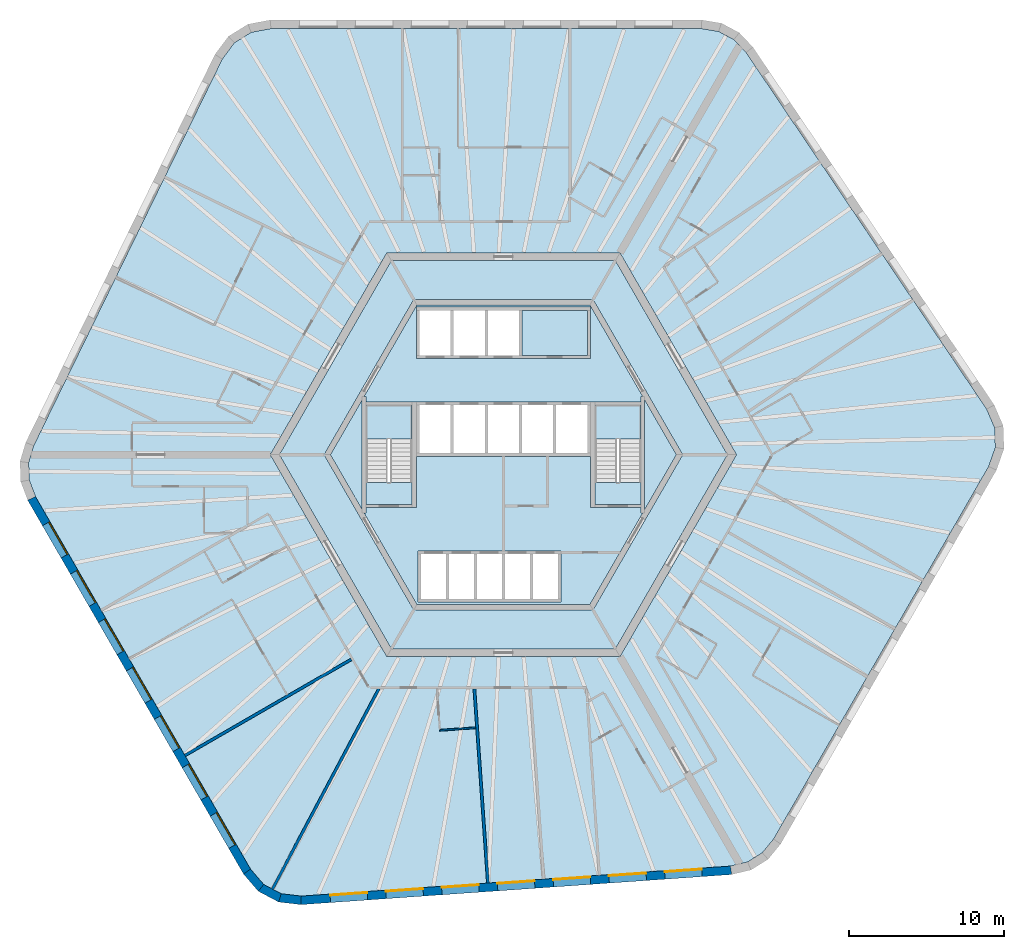
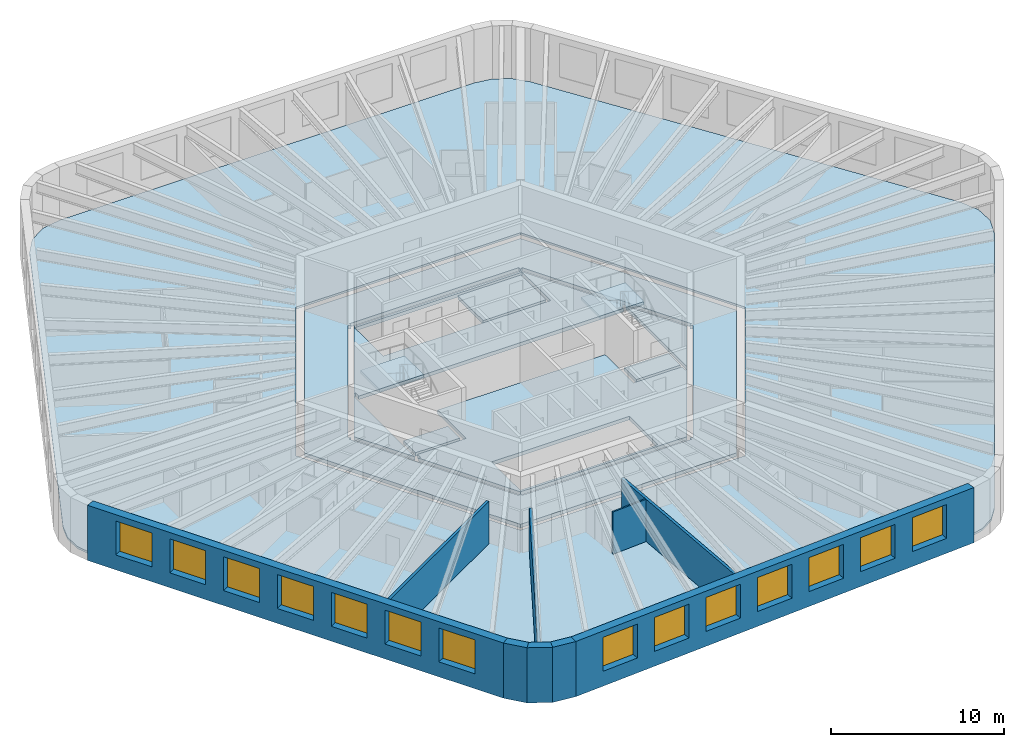
# One storey, part 2 of 10: 14 windows, 11 slabs, 9 walls, 14 openings, 2 elements without a shape of their own.
"""IFC4 building model written with IfcOpenShell, lengths in metres."""

import ifcopenshell
import ifcopenshell.guid

model = None  # the IFC model being written
_history = None  # IfcOwnerHistory: only IFC2X3 demands one
_inside = {}  # id of a spatial element -> (the spatial element, [elements in it])
_under = {}  # id of a project, library or spatial element -> (it, [spatial elements below it])
_declared = {}  # id of a project -> (the project, [libraries it declares])
_typed = {}  # id of a type object -> (the type object, [elements of that type])
_made_of = {}  # id of a material, layer set ... -> (it, [elements and type objects made of it])


def new_model(schema):
    """Start an empty IFC model of exactly this schema.

    Asked for "IFC4X3", IfcOpenShell would pick the latest addendum, in which some entities
    have other attributes; the version numbers below select the first issue.
    IFC2X3 requires an IfcOwnerHistory on every rooted entity: one is made here for all.
    """
    global model, _history
    if schema == "IFC4X3":
        model = ifcopenshell.file(schema_version=(4, 3, 0, 0))
    else:
        model = ifcopenshell.file(schema=schema)
    _inside.clear()
    _under.clear()
    _declared.clear()
    _typed.clear()
    _made_of.clear()
    _history = None
    if model.schema == "IFC2X3":
        org = make("IfcOrganization", Name="unknown")
        user = make(
            "IfcPersonAndOrganization",
            ThePerson=make("IfcPerson", FamilyName="unknown"),
            TheOrganization=org,
        )
        app = make(
            "IfcApplication",
            ApplicationDeveloper=org,
            Version="unknown",
            ApplicationFullName="unknown",
            ApplicationIdentifier="unknown",
        )
        _history = make(
            "IfcOwnerHistory",
            OwningUser=user,
            OwningApplication=app,
            ChangeAction="ADDED",
            CreationDate=0,
        )
    return model


def make(cls, **values):
    """One entity of the class cls with the attributes given. An attribute that is None is left unset."""
    return model.create_entity(
        cls, **{name: value for name, value in values.items() if value is not None}
    )


def rooted(cls, **values):
    """An entity with a GlobalId (a new one), such as an element, a storey or a relation."""
    return make(cls, GlobalId=ifcopenshell.guid.new(), OwnerHistory=_history, **values)


def si_unit(unit_type, name, prefix=None):
    """IfcSIUnit, for example si_unit("LENGTHUNIT", "METRE", prefix="MILLI")."""
    return make("IfcSIUnit", UnitType=unit_type, Prefix=prefix, Name=name)


def assignment(units):
    """IfcUnitAssignment: the units of a project."""
    return None if units is None else make("IfcUnitAssignment", Units=units)


def point(xyz):
    """IfcCartesianPoint."""
    return None if xyz is None else make("IfcCartesianPoint", Coordinates=xyz)


def direction(xyz):
    """IfcDirection."""
    return None if xyz is None else make("IfcDirection", DirectionRatios=xyz)


def frame(location, z_axis=None, x_axis=None):
    """IfcAxis2Placement3D, a coordinate frame: its origin and axes. An axis left out is left unset."""
    return make(
        "IfcAxis2Placement3D",
        Location=point(location),
        Axis=direction(z_axis),
        RefDirection=direction(x_axis),
    )


def frame_2d(location, x_axis=None):
    """IfcAxis2Placement2D, a coordinate frame in the plane: its origin and x axis."""
    return make(
        "IfcAxis2Placement2D", Location=point(location), RefDirection=direction(x_axis)
    )


def origin():
    """The frame at (0, 0, 0) with its axes left unset."""
    return frame((0.0, 0.0, 0.0))


def place(relative_to, where):
    """IfcLocalPlacement: puts the frame where relative to a parent placement (None: the world)."""
    return make(
        "IfcLocalPlacement", PlacementRelTo=relative_to, RelativePlacement=where
    )


def context(
    kind, dimensions, precision=None, world=None, true_north=None, identifier=None
):
    """IfcGeometricRepresentationContext, for example the 3D "Model" context."""
    return make(
        "IfcGeometricRepresentationContext",
        ContextIdentifier=identifier,
        ContextType=kind,
        CoordinateSpaceDimension=dimensions,
        Precision=precision,
        WorldCoordinateSystem=world,
        TrueNorth=true_north,
    )


def subcontext(parent, identifier, kind, view, scale=None):
    """IfcGeometricRepresentationSubContext, for example "Body" below "Model"."""
    return make(
        "IfcGeometricRepresentationSubContext",
        ContextIdentifier=identifier,
        ContextType=kind,
        ParentContext=parent,
        TargetScale=scale,
        TargetView=view,
    )


def project(units=None, contexts=None):
    """IfcProject with its units and contexts."""
    return rooted(
        "IfcProject",
        Name="project",
        RepresentationContexts=contexts,
        UnitsInContext=assignment(units),
    )


def spatial(cls, under=None, at=None, **own):
    """A site, building, storey or space (cls), placed at a placement, below another one or the project."""
    s = rooted(cls, ObjectPlacement=at, **own)
    if under is not None:
        _under.setdefault(under.id(), (under, []))[1].append(s)
    return s


def polyline(points):
    """IfcPolyline through the points."""
    return make("IfcPolyline", Points=[point(p) for p in points])


def profile(cls, at=None, kind="AREA", **sizes):
    """A parametric profile (cls). Its sizes go by their IFC names, for example OverallWidth=200.0."""
    return make(cls, ProfileType=kind, Position=at, **sizes)


def rectangle(**sizes):
    """IfcRectangleProfileDef."""
    return profile("IfcRectangleProfileDef", **sizes)


def outline(outer, holes=None, kind="AREA"):
    """IfcArbitraryClosedProfileDef: a profile drawn as a closed curve; with holes, ...WithVoids."""
    if holes is None:
        return make("IfcArbitraryClosedProfileDef", ProfileType=kind, OuterCurve=outer)
    return make(
        "IfcArbitraryProfileDefWithVoids",
        ProfileType=kind,
        OuterCurve=outer,
        InnerCurves=holes,
    )


def extrude(swept, where, along, depth):
    """IfcExtrudedAreaSolid: the profile swept, set in the frame where, extruded along a direction by depth."""
    return make(
        "IfcExtrudedAreaSolid",
        SweptArea=swept,
        Position=where,
        ExtrudedDirection=direction(along),
        Depth=depth,
    )


def shape(context_of_items, identifier, shape_type, items):
    """IfcShapeRepresentation: the items that make up one representation, for example the "Body"."""
    return make(
        "IfcShapeRepresentation",
        ContextOfItems=context_of_items,
        RepresentationIdentifier=identifier,
        RepresentationType=shape_type,
        Items=items,
    )


def material(Name=None, Category=None):
    """IfcMaterial."""
    return make("IfcMaterial", Name=Name, Category=Category)


def layer(
    of_material, thickness, ventilated=None, Name=None, Category=None, Priority=None
):
    """IfcMaterialLayer: one layer of a wall or slab, of a material (None: an air gap)."""
    return make(
        "IfcMaterialLayer",
        Material=of_material,
        LayerThickness=thickness,
        IsVentilated=ventilated,
        Name=Name,
        Category=Category,
        Priority=Priority,
    )


def layer_set(layers, Name=None):
    """IfcMaterialLayerSet."""
    return make("IfcMaterialLayerSet", MaterialLayers=layers, LayerSetName=Name)


def made_of(thing, what):
    """Note that an element or type object is made of a material, layer set ...; save() writes the relation."""
    if what is not None:
        _made_of.setdefault(what.id(), (what, []))[1].append(thing)
    return thing


def type_object(cls, material=None, **own):
    """A type object (cls), such as IfcWallType, which elements share."""
    return made_of(rooted(cls, **own), material)


def element(
    cls,
    number,
    at=None,
    inside=None,
    cuts=None,
    type_object=None,
    material=None,
    context=None,
    identifier="Body",
    shape_type=None,
    held_by="IfcProductDefinitionShape",
    body=None,
    shapes=None,
    **own,
):
    """One element of the class cls, such as IfcWall. Its Tag is "e" and its number.

    at: its placement. inside: the storey or other place that contains it. cuts: it is an
    opening in that element (IfcRelVoidsElement). A single representation is given by context,
    identifier, shape_type and body (its items); several are given by shapes. held_by: the class
    of the entity that holds the representations. save() writes the other relations.
    """
    e = rooted(cls, Tag="e%d" % number, ObjectPlacement=at, **own)
    if body is not None:
        shapes = [shape(context, identifier, shape_type, body)]
    if shapes is not None:
        e.Representation = make(held_by, Representations=shapes)
    if inside is not None:
        _inside.setdefault(inside.id(), (inside, []))[1].append(e)
    if cuts is not None:
        rooted(
            "IfcRelVoidsElement", RelatingBuildingElement=cuts, RelatedOpeningElement=e
        )
    if type_object is not None:
        _typed.setdefault(type_object.id(), (type_object, []))[1].append(e)
    return made_of(e, material)


def fill(opening, filler):
    """IfcRelFillsElement: the door or window that sits in an opening."""
    return rooted(
        "IfcRelFillsElement",
        RelatingOpeningElement=opening,
        RelatedBuildingElement=filler,
    )


def aggregate(whole, parts):
    """IfcRelAggregates: a whole, such as a stair, and the parts it consists of."""
    return rooted("IfcRelAggregates", RelatingObject=whole, RelatedObjects=parts)


def save(model, path):
    """Write the relations noted so far, then the file.

    IfcRelAggregates (storeys below a building ...), IfcRelContainedInSpatialStructure (elements
    in a storey), IfcRelDefinesByType, IfcRelAssociatesMaterial and IfcRelDeclares: one each for
    every whole, place, type object, material and project.
    """
    for whole, parts in _under.values():
        aggregate(whole, parts)
    for where, things in _inside.values():
        rooted(
            "IfcRelContainedInSpatialStructure",
            RelatedElements=things,
            RelatingStructure=where,
        )
    for kind, things in _typed.values():
        rooted("IfcRelDefinesByType", RelatedObjects=things, RelatingType=kind)
    for what, things in _made_of.values():
        rooted("IfcRelAssociatesMaterial", RelatedObjects=things, RelatingMaterial=what)
    for by, libraries in _declared.values():
        rooted("IfcRelDeclares", RelatingContext=by, RelatedDefinitions=libraries)
    model.write(path)


model = new_model("IFC4")

# Units and contexts
model_context = context("Model", 3, precision=1e-05, world=origin(), true_north=direction((0.0, 1.0)))
body_context = subcontext(model_context, "Body", "Model", "MODEL_VIEW")
ifc_project = project(units=[si_unit("LENGTHUNIT", "METRE"), si_unit("AREAUNIT", "SQUARE_METRE"), si_unit("VOLUMEUNIT", "CUBIC_METRE"), si_unit("PLANEANGLEUNIT", "RADIAN"), si_unit("MASSUNIT", "GRAM", prefix="KILO")], contexts=[model_context])

# Site, building, storey
site_placement = place(None, origin())
site = spatial("IfcSite", under=ifc_project, at=site_placement, CompositionType="ELEMENT")
building_placement = place(site_placement, origin())
building = spatial("IfcBuilding", under=site, at=building_placement, Name="Tarnside Tower", CompositionType="ELEMENT")
storey_placement = place(building_placement, frame((0.0, 0.0, 199.5)))
storey = spatial("IfcBuildingStorey", under=building, at=storey_placement, Name="L47", CompositionType="ELEMENT", Elevation=199.5)

# Slabs
ifc_material_1 = material(Name="Concrete C35/45", Category="concrete")
ifc_layer_1 = layer(ifc_material_1, 0.14990234375)
ifc_layer_set_1 = layer_set([ifc_layer_1], Name="Composite floor slab 150")
slab_type_1 = type_object("IfcSlabType", Name="Composite floor slab 150", PredefinedType="FLOOR", material=ifc_layer_set_1)
slab_1_placement = place(storey_placement, frame((0.0, 0.0, -0.14990234375)))
element("IfcSlab", 1, at=slab_1_placement, inside=storey, type_object=slab_type_1, Name="Floor slab L47", PredefinedType="FLOOR", context=body_context, shape_type="SweptSolid", body=[
    extrude(outline(polyline([(13.864013671875, 27.264892578125), (14.85107421875, 26.740234375), (15.6337890625, 25.91064453125), (31.12890625, 2.938232421875), (31.644287109375, 1.7431640625), (31.68896484375, 0.468505859375), (31.258056640625, -0.759521484375), (17.403076171875, -24.7568359375), (16.68017578125, -25.63916015625), (15.732177734375, -26.2314453125), (14.622314453125, -26.494384765625), (-13.02001953125, -28.427490234375), (-14.3125, -28.2763671875), (-15.438720703125, -27.677490234375), (-16.286865234375, -26.6904296875), (-30.1416015625, -2.693115234375), (-30.544189453125, -1.6259765625), (-30.583251953125, -0.5087890625), (-30.256103515625, 0.583984375), (-18.10888671875, 25.4892578125), (-17.331787109375, 26.533203125), (-16.250244140625, 27.208984375), (-14.97119140625, 27.449951171875), (12.738525390625, 27.449951171875), (13.864013671875, 27.264892578125)]), holes=[polyline([(-15.010986328125, 0.0), (-7.505615234375, -13.0), (7.505615234375, -13.0), (15.010986328125, 0.0), (7.505615234375, 13.0), (-7.505615234375, 13.0), (-15.010986328125, 0.0)])]), origin(), (0.0, 0.0, 1.0), 0.14990234375),
])
ifc_material_2 = material(Name="Concrete C40/50", Category="concrete")
ifc_layer_2 = layer(ifc_material_2, 0.25)
ifc_layer_set_2 = layer_set([ifc_layer_2], Name="Core slab C40/50")
slab_type_2 = type_object("IfcSlabType", Name="Core slab C40/50", PredefinedType="FLOOR", material=ifc_layer_set_2)
slab_2_placement = place(storey_placement, frame((0.0, 0.0, -0.25)))
element("IfcSlab", 2, at=slab_2_placement, inside=storey, type_object=slab_type_2, Name="L47 core floor slab 1", PredefinedType="FLOOR", context=body_context, shape_type="SweptSolid", body=[
    extrude(outline(polyline([(-7.216796875, 12.5), (7.216796875, 12.5), (14.433837890625, 0.0), (7.216796875, -12.5), (-7.216796875, -12.5), (-14.433837890625, 0.0), (-7.216796875, 12.5)]), holes=[polyline([(5.823974609375, -9.91259765625), (11.49658203125, -0.08740234375), (11.344970703125, 0.0), (11.49658203125, 0.08740234375), (5.823974609375, 9.91259765625), (5.672607421875, 9.824951171875), (5.672607421875, 10.0), (-5.672607421875, 10.0), (-5.672607421875, 9.824951171875), (-5.823974609375, 9.91259765625), (-11.49658203125, 0.08740234375), (-11.344970703125, 0.0), (-11.49658203125, -0.08740234375), (-5.823974609375, -9.91259765625), (-5.672607421875, -9.824951171875), (-5.672607421875, -10.0), (5.672607421875, -10.0), (5.672607421875, -9.824951171875), (5.823974609375, -9.91259765625)])]), origin(), (0.0, 0.0, 1.0), 0.25),
])
slab_3_placement = place(storey_placement, frame((0.0, 0.0, -0.25)))
element("IfcSlab", 3, at=slab_3_placement, inside=storey, type_object=slab_type_2, Name="L47 core floor slab 2", PredefinedType="FLOOR", context=body_context, shape_type="SweptSolid", body=[
    extrude(outline(polyline([(-8.97509765625, 3.7548828125), (-5.5712890625, 9.64990234375), (5.5712890625, 9.64990234375), (8.97509765625, 3.7548828125), (8.85009765625, 3.7548828125), (8.85009765625, 3.39990234375), (5.89990234375, 3.39990234375), (5.60009765625, 3.39990234375), (5.60009765625, 3.39990234375), (-5.60009765625, 3.39990234375), (-5.89990234375, 3.39990234375), (-8.85009765625, 3.39990234375), (-8.85009765625, 3.7548828125), (-8.97509765625, 3.7548828125)]), holes=[polyline([(-5.60009765625, 6.199951171875), (5.60009765625, 6.199951171875), (5.60009765625, 6.39990234375), (5.60009765625, 9.300048828125), (5.60009765625, 9.5), (-5.60009765625, 9.5), (-5.60009765625, 9.300048828125), (-5.60009765625, 6.39990234375), (-5.60009765625, 6.199951171875)])]), origin(), (0.0, 0.0, 1.0), 0.25),
])
slab_4_placement = place(storey_placement, frame((0.0, 0.0, -0.25)))
element("IfcSlab", 4, at=slab_4_placement, inside=storey, type_object=slab_type_2, Name="L47 core floor slab 3", PredefinedType="FLOOR", context=body_context, shape_type="SweptSolid", body=[
    extrude(outline(polyline([(5.60009765625, -3.39990234375), (5.89990234375, -3.39990234375), (8.85009765625, -3.39990234375), (8.85009765625, -3.7548828125), (8.97509765625, -3.7548828125), (5.5712890625, -9.64990234375), (-5.5712890625, -9.64990234375), (-8.97509765625, -3.7548828125), (-8.85009765625, -3.7548828125), (-8.85009765625, -3.39990234375), (-5.89990234375, -3.39990234375), (-5.60009765625, -3.39990234375), (-5.60009765625, -0.10009765625), (5.60009765625, -0.10009765625), (5.60009765625, -3.39990234375)]), holes=[polyline([(-5.5, -9.300048828125), (-5.5, -9.5), (3.699951171875, -9.5), (3.699951171875, -9.300048828125), (3.699951171875, -6.39990234375), (3.699951171875, -6.199951171875), (-5.5, -6.199951171875), (-5.5, -6.39990234375), (-5.5, -9.300048828125)])]), origin(), (0.0, 0.0, 1.0), 0.25),
])
slab_5_placement = place(storey_placement, frame((0.0, 0.0, -0.25)))
element("IfcSlab", 5, at=slab_5_placement, inside=storey, type_object=slab_type_2, Name="L47 core floor slab 4", PredefinedType="FLOOR", context=body_context, shape_type="SweptSolid", body=[
    extrude(outline(polyline([(-11.142822265625, 0.0), (-9.10009765625, 3.538330078125), (-9.10009765625, -3.538330078125), (-11.142822265625, 0.0)])), origin(), (0.0, 0.0, 1.0), 0.25),
])
slab_6_placement = place(storey_placement, frame((0.0, 0.0, -0.25)))
element("IfcSlab", 6, at=slab_6_placement, inside=storey, type_object=slab_type_2, Name="L47 core floor slab 5", PredefinedType="FLOOR", context=body_context, shape_type="SweptSolid", body=[
    extrude(outline(polyline([(-8.85009765625, -1.800048828125), (-5.89990234375, -1.800048828125), (-5.89990234375, -3.199951171875), (-8.85009765625, -3.199951171875), (-8.85009765625, -1.800048828125)])), origin(), (0.0, 0.0, 1.0), 0.25),
])
slab_7_placement = place(storey_placement, frame((0.0, 0.0, -0.25)))
element("IfcSlab", 7, at=slab_7_placement, inside=storey, type_object=slab_type_2, Name="L47 core floor slab 6", PredefinedType="FLOOR", context=body_context, shape_type="SweptSolid", body=[
    extrude(outline(polyline([(5.89990234375, -3.199951171875), (5.89990234375, -1.800048828125), (8.85009765625, -1.800048828125), (8.85009765625, -3.199951171875), (5.89990234375, -3.199951171875)])), origin(), (0.0, 0.0, 1.0), 0.25),
])
slab_8_placement = place(storey_placement, frame((0.0, 0.0, -0.25)))
element("IfcSlab", 8, at=slab_8_placement, inside=storey, type_object=slab_type_2, Name="L47 core floor slab 7", PredefinedType="FLOOR", context=body_context, shape_type="SweptSolid", body=[
    extrude(outline(polyline([(9.10009765625, -3.538330078125), (9.10009765625, 3.538330078125), (11.142822265625, 0.0), (9.10009765625, -3.538330078125)])), origin(), (0.0, 0.0, 1.0), 0.25),
])
slab_9_placement = place(storey_placement, frame((0.0, 0.0, -0.25)))
element("IfcSlab", 9, at=slab_9_placement, inside=storey, type_object=slab_type_2, Name="L47 core floor slab 8", PredefinedType="FLOOR", context=body_context, shape_type="SweptSolid", body=[
    extrude(outline(polyline([(5.39990234375, 9.300048828125), (5.39990234375, 6.39990234375), (1.199951171875, 6.39990234375), (1.199951171875, 9.300048828125), (5.39990234375, 9.300048828125)])), origin(), (0.0, 0.0, 1.0), 0.25),
])

# Stair, slab
stair_type = type_object("IfcStairType", Name="Exit stair 1400 clear", PredefinedType="HALF_TURN_STAIR", material=ifc_material_2)
stair_1_placement = place(storey_placement, origin())
stair_1 = element("IfcStair", 10, at=stair_1_placement, inside=storey, type_object=stair_type, Name="L47 Exit stair 1", PredefinedType="HALF_TURN_STAIR")
ifc_layer_3 = layer(ifc_material_2, 0.199951171875)
ifc_layer_set_3 = layer_set([ifc_layer_3], Name="Stair landing 200 C40/50")
slab_type_3 = type_object("IfcSlabType", Name="Stair landing 200 C40/50", PredefinedType="LANDING", material=ifc_layer_set_3)
slab_10_placement = place(storey_placement, frame((0.0, 0.0, 1.75)))
slab_10 = element("IfcSlab", 11, at=slab_10_placement, type_object=slab_type_3, Name="ST1 landing 1", PredefinedType="LANDING", context=body_context, shape_type="SweptSolid", body=[
    extrude(outline(polyline([(8.85009765625, 1.0), (8.85009765625, 3.199951171875), (5.89990234375, 3.199951171875), (5.89990234375, 1.0), (8.85009765625, 1.0)])), origin(), (0.0, 0.0, 1.0), 0.199951171875),
])
aggregate(stair_1, [slab_10])

stair_2_placement = place(storey_placement, origin())
stair_2 = element("IfcStair", 12, at=stair_2_placement, inside=storey, type_object=stair_type, Name="L47 Exit stair 2", PredefinedType="HALF_TURN_STAIR")
slab_11_placement = place(storey_placement, frame((0.0, 0.0, 1.75)))
slab_11 = element("IfcSlab", 13, at=slab_11_placement, type_object=slab_type_3, Name="ST2 landing 1", PredefinedType="LANDING", context=body_context, shape_type="SweptSolid", body=[
    extrude(outline(polyline([(-5.89990234375, 1.0), (-5.89990234375, 3.199951171875), (-8.85009765625, 3.199951171875), (-8.85009765625, 1.0), (-5.89990234375, 1.0)])), origin(), (0.0, 0.0, 1.0), 0.199951171875),
])
aggregate(stair_2, [slab_11])

# Walls
ifc_material_3 = material(Name="Gypsum board partition on steel studs", Category="steel")
ifc_layer_4 = layer(ifc_material_3, 0.10009765625)
ifc_layer_set_4 = layer_set([ifc_layer_4], Name="Bathroom wall 100")
wall_type_1 = type_object("IfcWallType", Name="Bathroom wall 100", PredefinedType="PARTITIONING", material=ifc_layer_set_4)
wall_1_placement = place(storey_placement, frame((-1.785400390625, -17.587158203125, 0.0), z_axis=(0.0, 0.0, 1.0), x_axis=(-0.997564338377, -0.069752353356, 0.0)))
element("IfcWall", 14, at=wall_1_placement, inside=storey, type_object=wall_type_1, Name="Bathroom wall 15086", PredefinedType="PARTITIONING", context=body_context, shape_type="SweptSolid", body=[
    extrude(rectangle(XDim=2.31005859375, YDim=0.10009765625, at=frame_2d((1.155029296875, 0.0))), origin(), (0.0, 0.0, 1.0), 2.98779296875),
])
ifc_layer_5 = layer(ifc_material_3, 0.179931640625)
ifc_layer_set_5 = layer_set([ifc_layer_5], Name="Demising wall 180 EI 60")
wall_type_2 = type_object("IfcWallType", Name="Demising wall 180 EI 60", PredefinedType="PARTITIONING", material=ifc_layer_set_5)
wall_2_placement = place(storey_placement, frame((-20.513427734375, -19.36962890625, 0.0), z_axis=(0.0, 0.0, 1.0), x_axis=(0.866024931941, 0.500000817256, 0.0)))
element("IfcWall", 15, at=wall_2_placement, inside=storey, type_object=wall_type_2, Name="Demising wall 15082", PredefinedType="PARTITIONING", context=body_context, shape_type="SweptSolid", body=[
    extrude(rectangle(XDim=12.375, YDim=0.179931640625, at=frame_2d((6.1875, 0.0))), origin(), (0.0, 0.0, 1.0), 2.98779296875),
])
wall_3_placement = place(storey_placement, frame((-14.875732421875, -27.97705078125, 0.0), z_axis=(0.0, 0.0, 1.0), x_axis=(0.469468328163, 0.882949312731, 0.0)))
element("IfcWall", 16, at=wall_3_placement, inside=storey, type_object=wall_type_2, Name="Demising wall 15085", PredefinedType="PARTITIONING", context=body_context, shape_type="SweptSolid", body=[
    extrude(rectangle(XDim=14.612548828125, YDim=0.179931640625, at=frame_2d((7.30615234375, 0.0))), origin(), (0.0, 0.0, 1.0), 2.98779296875),
])
wall_4_placement = place(storey_placement, frame((-0.99609375, -27.586669921875, 0.0), z_axis=(0.0, 0.0, 1.0), x_axis=(-0.069744671963, 0.997564875451, 0.0)))
element("IfcWall", 17, at=wall_4_placement, inside=storey, type_object=wall_type_2, Name="Demising wall 15088", PredefinedType="PARTITIONING", context=body_context, shape_type="SweptSolid", body=[
    extrude(rectangle(XDim=12.542236328125, YDim=0.179931640625, at=frame_2d((6.27099609375, 0.0))), origin(), (0.0, 0.0, 1.0), 2.98779296875),
])

# Wall, openings, windows
ifc_material_4 = material(Name="Facing brick", Category="masonry")
ifc_layer_6 = layer(ifc_material_4, 0.10205078125)
ifc_material_5 = material(Name="Concrete C60/75 precast", Category="concrete")
ifc_layer_7 = layer(ifc_material_5, 0.347900390625)
ifc_material_6 = material(Name="Mineral wool insulation")
ifc_layer_8 = layer(ifc_material_6, 0.10009765625)
ifc_layer_set_6 = layer_set([ifc_layer_6, ifc_layer_7, ifc_layer_8], Name="Tube wall 550 brick faced")
wall_type_3 = type_object("IfcWallType", Name="Tube wall 550 brick faced", PredefinedType="SOLIDWALL", material=ifc_layer_set_6)
wall_5_placement = place(storey_placement, frame((-30.39111328125, -2.81103515625, -0.14990234375), z_axis=(0.0, 0.0, 1.0), x_axis=(0.499998569178, -0.866026229868, 0.0)))
wall_5 = element("IfcWall", 18, at=wall_5_placement, inside=storey, type_object=wall_type_3, Name="Tube wall L47 F3 flush 08", PredefinedType="SOLIDWALL", context=body_context, shape_type="SweptSolid", body=[
    extrude(outline(polyline([(-0.0224609375, -0.27490234375), (27.783447265625, -0.27490234375), (27.732177734375, 0.27490234375), (0.0224609375, 0.27490234375), (-0.0224609375, -0.27490234375)])), origin(), (0.0, 0.0, 1.0), 3.89990234375),
])
opening_1_placement = place(wall_5_placement, frame((1.87890625, 0.0, 1.050048828125)))
opening_1 = element("IfcOpeningElement", 19, at=opening_1_placement, cuts=wall_5, Name="Opening WH", PredefinedType="OPENING", context=body_context, shape_type="SweptSolid", body=[
    extrude(rectangle(XDim=2.39990234375, YDim=2.39990234375, at=frame_2d((1.199951171875, 1.199951171875))), frame((0.0, 0.28515625, 0.0), z_axis=(0.0, -1.0, 0.0), x_axis=(1.0, 0.0, 0.0)), (0.0, 0.0, 1.0), 0.570068359375),
])
opening_2_placement = place(wall_5_placement, frame((5.47900390625, 0.0, 1.050048828125)))
opening_2 = element("IfcOpeningElement", 20, at=opening_2_placement, cuts=wall_5, Name="Opening WH", PredefinedType="OPENING", context=body_context, shape_type="SweptSolid", body=[
    extrude(rectangle(XDim=2.39990234375, YDim=2.39990234375, at=frame_2d((1.199951171875, 1.199951171875))), frame((0.0, 0.28515625, 0.0), z_axis=(0.0, -1.0, 0.0), x_axis=(1.0, 0.0, 0.0)), (0.0, 0.0, 1.0), 0.570068359375),
])
opening_3_placement = place(wall_5_placement, frame((9.078857421875, 0.0, 1.050048828125)))
opening_3 = element("IfcOpeningElement", 21, at=opening_3_placement, cuts=wall_5, Name="Opening WH", PredefinedType="OPENING", context=body_context, shape_type="SweptSolid", body=[
    extrude(rectangle(XDim=2.39990234375, YDim=2.39990234375, at=frame_2d((1.199951171875, 1.199951171875))), frame((0.0, 0.28515625, 0.0), z_axis=(0.0, -1.0, 0.0), x_axis=(1.0, 0.0, 0.0)), (0.0, 0.0, 1.0), 0.570068359375),
])
opening_4_placement = place(wall_5_placement, frame((12.678955078125, 0.0, 1.050048828125)))
opening_4 = element("IfcOpeningElement", 22, at=opening_4_placement, cuts=wall_5, Name="Opening WH", PredefinedType="OPENING", context=body_context, shape_type="SweptSolid", body=[
    extrude(rectangle(XDim=2.39990234375, YDim=2.39990234375, at=frame_2d((1.199951171875, 1.199951171875))), frame((0.0, 0.28515625, 0.0), z_axis=(0.0, -1.0, 0.0), x_axis=(1.0, 0.0, 0.0)), (0.0, 0.0, 1.0), 0.570068359375),
])
opening_5_placement = place(wall_5_placement, frame((16.27880859375, 0.0, 1.050048828125)))
opening_5 = element("IfcOpeningElement", 23, at=opening_5_placement, cuts=wall_5, Name="Opening WH", PredefinedType="OPENING", context=body_context, shape_type="SweptSolid", body=[
    extrude(rectangle(XDim=2.39990234375, YDim=2.39990234375, at=frame_2d((1.199951171875, 1.199951171875))), frame((0.0, 0.28515625, 0.0), z_axis=(0.0, -1.0, 0.0), x_axis=(1.0, 0.0, 0.0)), (0.0, 0.0, 1.0), 0.570068359375),
])
opening_6_placement = place(wall_5_placement, frame((19.87890625, 0.0, 1.050048828125)))
opening_6 = element("IfcOpeningElement", 24, at=opening_6_placement, cuts=wall_5, Name="Opening WH", PredefinedType="OPENING", context=body_context, shape_type="SweptSolid", body=[
    extrude(rectangle(XDim=2.39990234375, YDim=2.39990234375, at=frame_2d((1.199951171875, 1.199951171875))), frame((0.0, 0.28515625, 0.0), z_axis=(0.0, -1.0, 0.0), x_axis=(1.0, 0.0, 0.0)), (0.0, 0.0, 1.0), 0.570068359375),
])
opening_7_placement = place(wall_5_placement, frame((23.47900390625, 0.0, 1.050048828125)))
opening_7 = element("IfcOpeningElement", 25, at=opening_7_placement, cuts=wall_5, Name="Opening WH", PredefinedType="OPENING", context=body_context, shape_type="SweptSolid", body=[
    extrude(rectangle(XDim=2.39990234375, YDim=2.39990234375, at=frame_2d((1.199951171875, 1.199951171875))), frame((0.0, 0.28515625, 0.0), z_axis=(0.0, -1.0, 0.0), x_axis=(1.0, 0.0, 0.0)), (0.0, 0.0, 1.0), 0.570068359375),
])
ifc_material_7 = material(Name="Aluminium-framed double glazing", Category="aluminium")
window_type = type_object("IfcWindowType", Name="Hotel window 2400 x 2400", PartitioningType="DOUBLE_PANEL_VERTICAL", PredefinedType="WINDOW", material=ifc_material_7)
window_1_placement = place(opening_1_placement, frame((0.0, 0.205078125, 0.0)))
window_1 = element("IfcWindow", 26, at=window_1_placement, inside=storey, type_object=window_type, Name="E.WN.L47.F3.00", OverallHeight=2.39990234375, OverallWidth=2.39990234375, PartitioningType="DOUBLE_PANEL_VERTICAL", PredefinedType="WINDOW", context=body_context, shape_type="SweptSolid", body=[
    extrude(rectangle(XDim=2.39990234375, YDim=2.39990234375, at=frame_2d((1.199951171875, 1.199951171875))), frame((0.0, 0.030029296875, 0.0), z_axis=(0.0, -1.0, 0.0), x_axis=(1.0, 0.0, 0.0)), (0.0, 0.0, 1.0), 0.06005859375),
])
fill(opening_1, window_1)
window_2_placement = place(opening_2_placement, frame((0.0, 0.205078125, 0.0)))
window_2 = element("IfcWindow", 27, at=window_2_placement, inside=storey, type_object=window_type, Name="E.WN.L47.F3.01", OverallHeight=2.39990234375, OverallWidth=2.39990234375, PartitioningType="DOUBLE_PANEL_VERTICAL", PredefinedType="WINDOW", context=body_context, shape_type="SweptSolid", body=[
    extrude(rectangle(XDim=2.39990234375, YDim=2.39990234375, at=frame_2d((1.199951171875, 1.199951171875))), frame((0.0, 0.030029296875, 0.0), z_axis=(0.0, -1.0, 0.0), x_axis=(1.0, 0.0, 0.0)), (0.0, 0.0, 1.0), 0.06005859375),
])
fill(opening_2, window_2)
window_3_placement = place(opening_3_placement, frame((0.0, 0.205078125, 0.0)))
window_3 = element("IfcWindow", 28, at=window_3_placement, inside=storey, type_object=window_type, Name="E.WN.L47.F3.02", OverallHeight=2.39990234375, OverallWidth=2.39990234375, PartitioningType="DOUBLE_PANEL_VERTICAL", PredefinedType="WINDOW", context=body_context, shape_type="SweptSolid", body=[
    extrude(rectangle(XDim=2.39990234375, YDim=2.39990234375, at=frame_2d((1.199951171875, 1.199951171875))), frame((0.0, 0.030029296875, 0.0), z_axis=(0.0, -1.0, 0.0), x_axis=(1.0, 0.0, 0.0)), (0.0, 0.0, 1.0), 0.06005859375),
])
fill(opening_3, window_3)
window_4_placement = place(opening_4_placement, frame((0.0, 0.205078125, 0.0)))
window_4 = element("IfcWindow", 29, at=window_4_placement, inside=storey, type_object=window_type, Name="E.WN.L47.F3.03", OverallHeight=2.39990234375, OverallWidth=2.39990234375, PartitioningType="DOUBLE_PANEL_VERTICAL", PredefinedType="WINDOW", context=body_context, shape_type="SweptSolid", body=[
    extrude(rectangle(XDim=2.39990234375, YDim=2.39990234375, at=frame_2d((1.199951171875, 1.199951171875))), frame((0.0, 0.030029296875, 0.0), z_axis=(0.0, -1.0, 0.0), x_axis=(1.0, 0.0, 0.0)), (0.0, 0.0, 1.0), 0.06005859375),
])
fill(opening_4, window_4)
window_5_placement = place(opening_5_placement, frame((0.0, 0.205078125, 0.0)))
window_5 = element("IfcWindow", 30, at=window_5_placement, inside=storey, type_object=window_type, Name="E.WN.L47.F3.04", OverallHeight=2.39990234375, OverallWidth=2.39990234375, PartitioningType="DOUBLE_PANEL_VERTICAL", PredefinedType="WINDOW", context=body_context, shape_type="SweptSolid", body=[
    extrude(rectangle(XDim=2.39990234375, YDim=2.39990234375, at=frame_2d((1.199951171875, 1.199951171875))), frame((0.0, 0.030029296875, 0.0), z_axis=(0.0, -1.0, 0.0), x_axis=(1.0, 0.0, 0.0)), (0.0, 0.0, 1.0), 0.06005859375),
])
fill(opening_5, window_5)
window_6_placement = place(opening_6_placement, frame((0.0, 0.205078125, 0.0)))
window_6 = element("IfcWindow", 31, at=window_6_placement, inside=storey, type_object=window_type, Name="E.WN.L47.F3.05", OverallHeight=2.39990234375, OverallWidth=2.39990234375, PartitioningType="DOUBLE_PANEL_VERTICAL", PredefinedType="WINDOW", context=body_context, shape_type="SweptSolid", body=[
    extrude(rectangle(XDim=2.39990234375, YDim=2.39990234375, at=frame_2d((1.199951171875, 1.199951171875))), frame((0.0, 0.030029296875, 0.0), z_axis=(0.0, -1.0, 0.0), x_axis=(1.0, 0.0, 0.0)), (0.0, 0.0, 1.0), 0.06005859375),
])
fill(opening_6, window_6)
window_7_placement = place(opening_7_placement, frame((0.0, 0.205078125, 0.0)))
window_7 = element("IfcWindow", 32, at=window_7_placement, inside=storey, type_object=window_type, Name="E.WN.L47.F3.06", OverallHeight=2.39990234375, OverallWidth=2.39990234375, PartitioningType="DOUBLE_PANEL_VERTICAL", PredefinedType="WINDOW", context=body_context, shape_type="SweptSolid", body=[
    extrude(rectangle(XDim=2.39990234375, YDim=2.39990234375, at=frame_2d((1.199951171875, 1.199951171875))), frame((0.0, 0.030029296875, 0.0), z_axis=(0.0, -1.0, 0.0), x_axis=(1.0, 0.0, 0.0)), (0.0, 0.0, 1.0), 0.06005859375),
])
fill(opening_7, window_7)

# Walls
wall_6_placement = place(storey_placement, frame((-16.51220703125, -26.85009765625, -0.14990234375), z_axis=(0.0, 0.0, 1.0), x_axis=(0.651621950847, -0.758543890078, 0.0)))
element("IfcWall", 33, at=wall_6_placement, inside=storey, type_object=wall_type_3, Name="Tube wall L47 F3 chord 09", PredefinedType="SOLIDWALL", context=body_context, shape_type="SweptSolid", body=[
    extrude(outline(polyline([(-0.025634765625, -0.27490234375), (1.430908203125, -0.27490234375), (1.327392578125, 0.27490234375), (0.025634765625, 0.27490234375), (-0.025634765625, -0.27490234375)])), origin(), (0.0, 0.0, 1.0), 3.89990234375),
])
wall_7_placement = place(storey_placement, frame((-15.613525390625, -27.896240234375, -0.14990234375), z_axis=(0.0, 0.0, 1.0), x_axis=(0.882994189209, -0.469383917304, 0.0)))
element("IfcWall", 34, at=wall_7_placement, inside=storey, type_object=wall_type_3, Name="Tube wall L47 F3 chord 10", PredefinedType="SOLIDWALL", context=body_context, shape_type="SweptSolid", body=[
    extrude(outline(polyline([(-0.0517578125, -0.27490234375), (1.4306640625, -0.27490234375), (1.3271484375, 0.27490234375), (0.0517578125, 0.27490234375), (-0.0517578125, -0.27490234375)])), origin(), (0.0, 0.0, 1.0), 3.89990234375),
])
wall_8_placement = place(storey_placement, frame((-14.39599609375, -28.54345703125, -0.14990234375), z_axis=(0.0, 0.0, 1.0), x_axis=(0.993232537394, -0.11614269956, 0.0)))
element("IfcWall", 35, at=wall_8_placement, inside=storey, type_object=wall_type_3, Name="Tube wall L47 F3 chord 11", PredefinedType="SOLIDWALL", context=body_context, shape_type="SweptSolid", body=[
    extrude(outline(polyline([(-0.0517578125, -0.27490234375), (1.404541015625, -0.27490234375), (1.353271484375, 0.27490234375), (0.0517578125, 0.27490234375), (-0.0517578125, -0.27490234375)])), origin(), (0.0, 0.0, 1.0), 3.89990234375),
])

# Wall, openings, windows
wall_9_placement = place(storey_placement, frame((-13.0263671875, -28.70361328125, -0.14990234375), z_axis=(0.0, 0.0, 1.0), x_axis=(0.99756406806, 0.069756219185, 0.0)))
wall_9 = element("IfcWall", 36, at=wall_9_placement, inside=storey, type_object=wall_type_3, Name="Tube wall L47 F4 flush 12", PredefinedType="SOLIDWALL", context=body_context, shape_type="SweptSolid", body=[
    extrude(outline(polyline([(-0.025634765625, -0.27490234375), (27.7802734375, -0.27490234375), (27.7353515625, 0.27490234375), (0.025634765625, 0.27490234375), (-0.025634765625, -0.27490234375)])), origin(), (0.0, 0.0, 1.0), 3.89990234375),
])
opening_8_placement = place(wall_9_placement, frame((1.87890625, 0.0, 1.050048828125)))
opening_8 = element("IfcOpeningElement", 37, at=opening_8_placement, cuts=wall_9, Name="Opening WH", PredefinedType="OPENING", context=body_context, shape_type="SweptSolid", body=[
    extrude(rectangle(XDim=2.39990234375, YDim=2.39990234375, at=frame_2d((1.199951171875, 1.199951171875))), frame((0.0, 0.28515625, 0.0), z_axis=(0.0, -1.0, 0.0), x_axis=(1.0, 0.0, 0.0)), (0.0, 0.0, 1.0), 0.570068359375),
])
opening_9_placement = place(wall_9_placement, frame((5.47900390625, 0.0, 1.050048828125)))
opening_9 = element("IfcOpeningElement", 38, at=opening_9_placement, cuts=wall_9, Name="Opening WH", PredefinedType="OPENING", context=body_context, shape_type="SweptSolid", body=[
    extrude(rectangle(XDim=2.39990234375, YDim=2.39990234375, at=frame_2d((1.199951171875, 1.199951171875))), frame((0.0, 0.28515625, 0.0), z_axis=(0.0, -1.0, 0.0), x_axis=(1.0, 0.0, 0.0)), (0.0, 0.0, 1.0), 0.570068359375),
])
opening_10_placement = place(wall_9_placement, frame((9.078857421875, 0.0, 1.050048828125)))
opening_10 = element("IfcOpeningElement", 39, at=opening_10_placement, cuts=wall_9, Name="Opening WH", PredefinedType="OPENING", context=body_context, shape_type="SweptSolid", body=[
    extrude(rectangle(XDim=2.39990234375, YDim=2.39990234375, at=frame_2d((1.199951171875, 1.199951171875))), frame((0.0, 0.28515625, 0.0), z_axis=(0.0, -1.0, 0.0), x_axis=(1.0, 0.0, 0.0)), (0.0, 0.0, 1.0), 0.570068359375),
])
opening_11_placement = place(wall_9_placement, frame((12.678955078125, 0.0, 1.050048828125)))
opening_11 = element("IfcOpeningElement", 40, at=opening_11_placement, cuts=wall_9, Name="Opening WH", PredefinedType="OPENING", context=body_context, shape_type="SweptSolid", body=[
    extrude(rectangle(XDim=2.39990234375, YDim=2.39990234375, at=frame_2d((1.199951171875, 1.199951171875))), frame((0.0, 0.28515625, 0.0), z_axis=(0.0, -1.0, 0.0), x_axis=(1.0, 0.0, 0.0)), (0.0, 0.0, 1.0), 0.570068359375),
])
opening_12_placement = place(wall_9_placement, frame((16.27880859375, 0.0, 1.050048828125)))
opening_12 = element("IfcOpeningElement", 41, at=opening_12_placement, cuts=wall_9, Name="Opening WH", PredefinedType="OPENING", context=body_context, shape_type="SweptSolid", body=[
    extrude(rectangle(XDim=2.39990234375, YDim=2.39990234375, at=frame_2d((1.199951171875, 1.199951171875))), frame((0.0, 0.28515625, 0.0), z_axis=(0.0, -1.0, 0.0), x_axis=(1.0, 0.0, 0.0)), (0.0, 0.0, 1.0), 0.570068359375),
])
opening_13_placement = place(wall_9_placement, frame((19.87890625, 0.0, 1.050048828125)))
opening_13 = element("IfcOpeningElement", 42, at=opening_13_placement, cuts=wall_9, Name="Opening WH", PredefinedType="OPENING", context=body_context, shape_type="SweptSolid", body=[
    extrude(rectangle(XDim=2.39990234375, YDim=2.39990234375, at=frame_2d((1.199951171875, 1.199951171875))), frame((0.0, 0.28515625, 0.0), z_axis=(0.0, -1.0, 0.0), x_axis=(1.0, 0.0, 0.0)), (0.0, 0.0, 1.0), 0.570068359375),
])
opening_14_placement = place(wall_9_placement, frame((23.47900390625, 0.0, 1.050048828125)))
opening_14 = element("IfcOpeningElement", 43, at=opening_14_placement, cuts=wall_9, Name="Opening WH", PredefinedType="OPENING", context=body_context, shape_type="SweptSolid", body=[
    extrude(rectangle(XDim=2.39990234375, YDim=2.39990234375, at=frame_2d((1.199951171875, 1.199951171875))), frame((0.0, 0.28515625, 0.0), z_axis=(0.0, -1.0, 0.0), x_axis=(1.0, 0.0, 0.0)), (0.0, 0.0, 1.0), 0.570068359375),
])
window_8_placement = place(opening_8_placement, frame((0.0, 0.205078125, 0.0)))
window_8 = element("IfcWindow", 44, at=window_8_placement, inside=storey, type_object=window_type, Name="E.WN.L47.F4.00", OverallHeight=2.39990234375, OverallWidth=2.39990234375, PartitioningType="DOUBLE_PANEL_VERTICAL", PredefinedType="WINDOW", context=body_context, shape_type="SweptSolid", body=[
    extrude(rectangle(XDim=2.39990234375, YDim=2.39990234375, at=frame_2d((1.199951171875, 1.199951171875))), frame((0.0, 0.030029296875, 0.0), z_axis=(0.0, -1.0, 0.0), x_axis=(1.0, 0.0, 0.0)), (0.0, 0.0, 1.0), 0.06005859375),
])
fill(opening_8, window_8)
window_9_placement = place(opening_9_placement, frame((0.0, 0.205078125, 0.0)))
window_9 = element("IfcWindow", 45, at=window_9_placement, inside=storey, type_object=window_type, Name="E.WN.L47.F4.01", OverallHeight=2.39990234375, OverallWidth=2.39990234375, PartitioningType="DOUBLE_PANEL_VERTICAL", PredefinedType="WINDOW", context=body_context, shape_type="SweptSolid", body=[
    extrude(rectangle(XDim=2.39990234375, YDim=2.39990234375, at=frame_2d((1.199951171875, 1.199951171875))), frame((0.0, 0.030029296875, 0.0), z_axis=(0.0, -1.0, 0.0), x_axis=(1.0, 0.0, 0.0)), (0.0, 0.0, 1.0), 0.06005859375),
])
fill(opening_9, window_9)
window_10_placement = place(opening_10_placement, frame((0.0, 0.205078125, 0.0)))
window_10 = element("IfcWindow", 46, at=window_10_placement, inside=storey, type_object=window_type, Name="E.WN.L47.F4.02", OverallHeight=2.39990234375, OverallWidth=2.39990234375, PartitioningType="DOUBLE_PANEL_VERTICAL", PredefinedType="WINDOW", context=body_context, shape_type="SweptSolid", body=[
    extrude(rectangle(XDim=2.39990234375, YDim=2.39990234375, at=frame_2d((1.199951171875, 1.199951171875))), frame((0.0, 0.030029296875, 0.0), z_axis=(0.0, -1.0, 0.0), x_axis=(1.0, 0.0, 0.0)), (0.0, 0.0, 1.0), 0.06005859375),
])
fill(opening_10, window_10)
window_11_placement = place(opening_11_placement, frame((0.0, 0.205078125, 0.0)))
window_11 = element("IfcWindow", 47, at=window_11_placement, inside=storey, type_object=window_type, Name="E.WN.L47.F4.03", OverallHeight=2.39990234375, OverallWidth=2.39990234375, PartitioningType="DOUBLE_PANEL_VERTICAL", PredefinedType="WINDOW", context=body_context, shape_type="SweptSolid", body=[
    extrude(rectangle(XDim=2.39990234375, YDim=2.39990234375, at=frame_2d((1.199951171875, 1.199951171875))), frame((0.0, 0.030029296875, 0.0), z_axis=(0.0, -1.0, 0.0), x_axis=(1.0, 0.0, 0.0)), (0.0, 0.0, 1.0), 0.06005859375),
])
fill(opening_11, window_11)
window_12_placement = place(opening_12_placement, frame((0.0, 0.205078125, 0.0)))
window_12 = element("IfcWindow", 48, at=window_12_placement, inside=storey, type_object=window_type, Name="E.WN.L47.F4.04", OverallHeight=2.39990234375, OverallWidth=2.39990234375, PartitioningType="DOUBLE_PANEL_VERTICAL", PredefinedType="WINDOW", context=body_context, shape_type="SweptSolid", body=[
    extrude(rectangle(XDim=2.39990234375, YDim=2.39990234375, at=frame_2d((1.199951171875, 1.199951171875))), frame((0.0, 0.030029296875, 0.0), z_axis=(0.0, -1.0, 0.0), x_axis=(1.0, 0.0, 0.0)), (0.0, 0.0, 1.0), 0.06005859375),
])
fill(opening_12, window_12)
window_13_placement = place(opening_13_placement, frame((0.0, 0.205078125, 0.0)))
window_13 = element("IfcWindow", 49, at=window_13_placement, inside=storey, type_object=window_type, Name="E.WN.L47.F4.05", OverallHeight=2.39990234375, OverallWidth=2.39990234375, PartitioningType="DOUBLE_PANEL_VERTICAL", PredefinedType="WINDOW", context=body_context, shape_type="SweptSolid", body=[
    extrude(rectangle(XDim=2.39990234375, YDim=2.39990234375, at=frame_2d((1.199951171875, 1.199951171875))), frame((0.0, 0.030029296875, 0.0), z_axis=(0.0, -1.0, 0.0), x_axis=(1.0, 0.0, 0.0)), (0.0, 0.0, 1.0), 0.06005859375),
])
fill(opening_13, window_13)
window_14_placement = place(opening_14_placement, frame((0.0, 0.205078125, 0.0)))
window_14 = element("IfcWindow", 50, at=window_14_placement, inside=storey, type_object=window_type, Name="E.WN.L47.F4.06", OverallHeight=2.39990234375, OverallWidth=2.39990234375, PartitioningType="DOUBLE_PANEL_VERTICAL", PredefinedType="WINDOW", context=body_context, shape_type="SweptSolid", body=[
    extrude(rectangle(XDim=2.39990234375, YDim=2.39990234375, at=frame_2d((1.199951171875, 1.199951171875))), frame((0.0, 0.030029296875, 0.0), z_axis=(0.0, -1.0, 0.0), x_axis=(1.0, 0.0, 0.0)), (0.0, 0.0, 1.0), 0.06005859375),
])
fill(opening_14, window_14)

save(model, "model.ifc")
